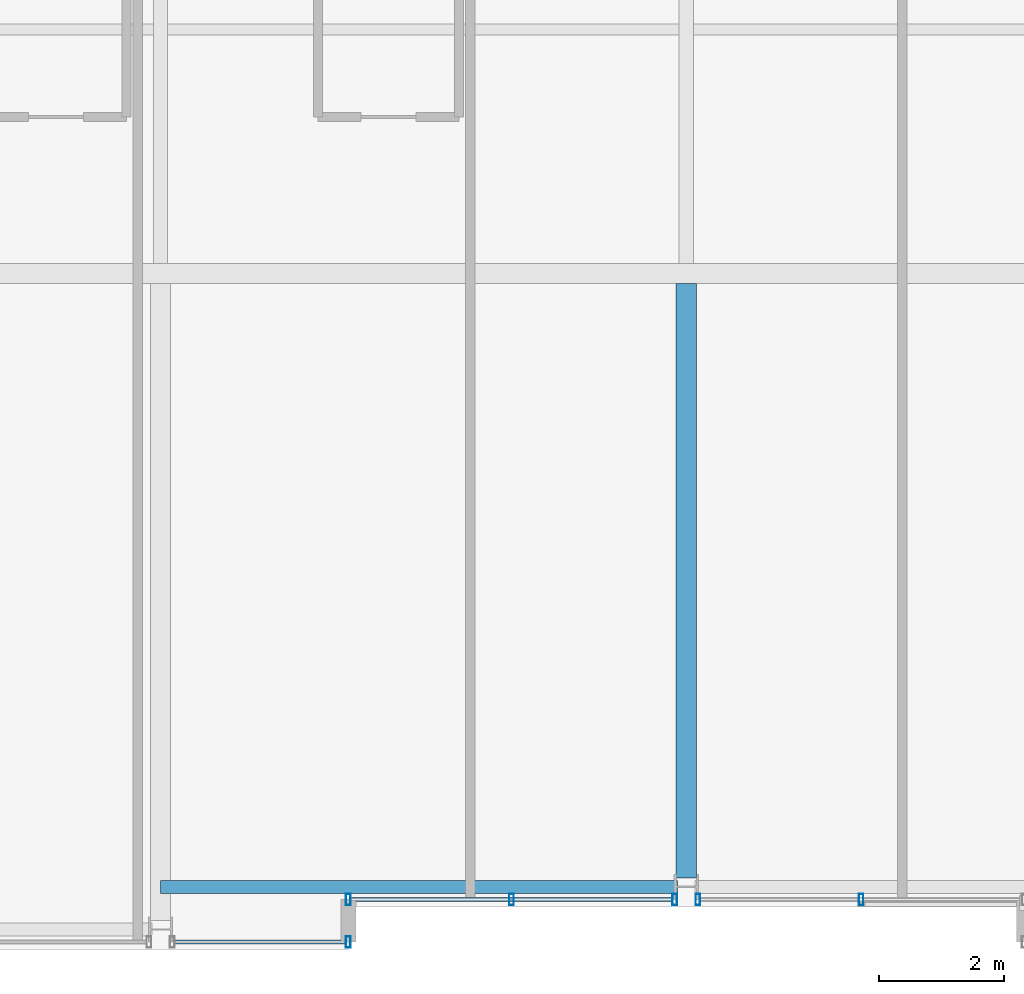
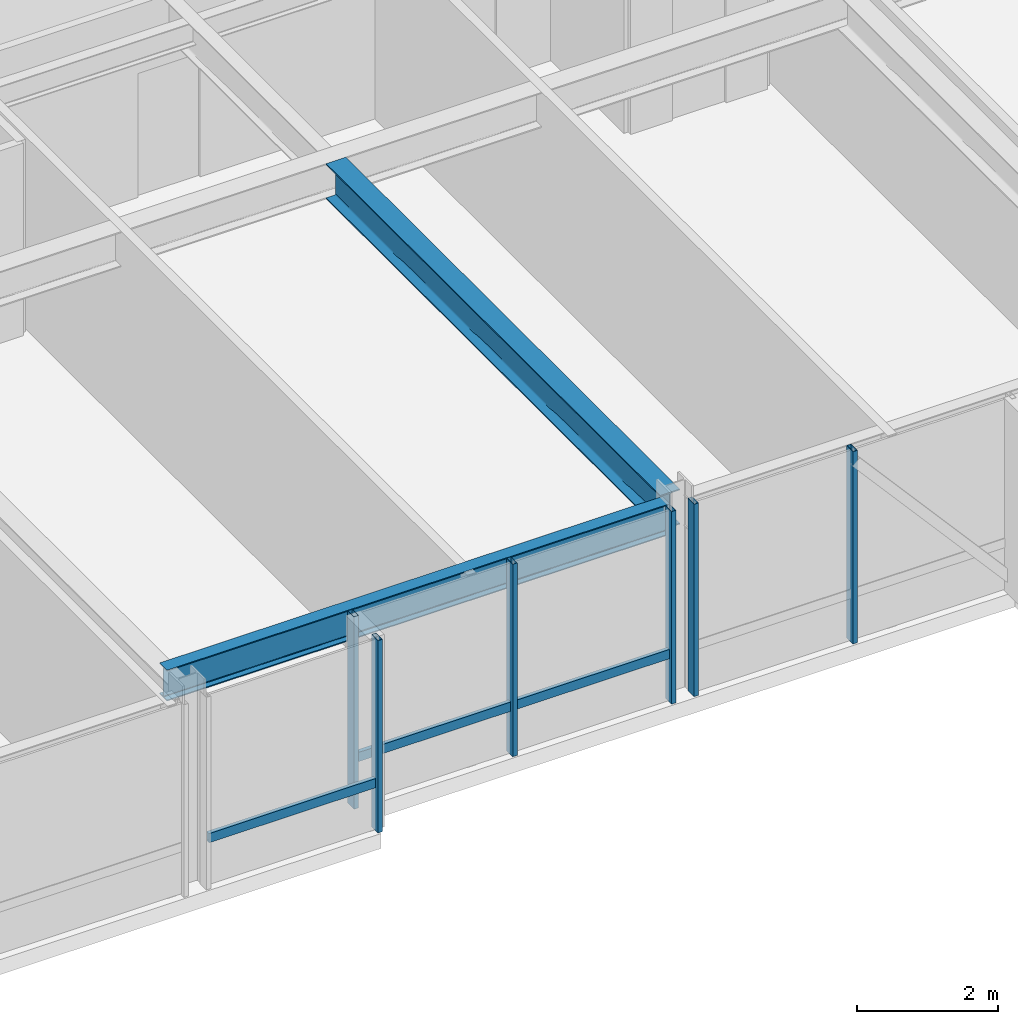
# One storey, part 5 of 32: 8 members, 2 beams, 3 elements without a shape of their own.
"""IFC4 building model written with IfcOpenShell, lengths in metres."""

from ifc_helpers import new_model, si_unit, direction, frame, origin, origin_2d, place, context, subcontext, project, spatial, hollow_rectangle, i_section, extrude, material, layer, layer_set, material_profile, profile_set, type_object, element, aggregate, save


model = new_model("IFC4")

# Units and contexts
model_context = context("Model", 3, precision=1e-05, world=origin(), true_north=direction((0.0, 1.0)))
body_context = subcontext(model_context, "Body", "Model", "MODEL_VIEW")
ifc_project = project(units=[si_unit("LENGTHUNIT", "METRE"), si_unit("AREAUNIT", "SQUARE_METRE"), si_unit("VOLUMEUNIT", "CUBIC_METRE"), si_unit("PLANEANGLEUNIT", "RADIAN"), si_unit("MASSUNIT", "GRAM", prefix="KILO")], contexts=[model_context])

# Site, building, storey
site_placement = place(None, origin())
site = spatial("IfcSite", under=ifc_project, at=site_placement, CompositionType="ELEMENT")
building_placement = place(site_placement, origin())
building = spatial("IfcBuilding", under=site, at=building_placement, Name="Drelvath Grand Hotel", CompositionType="ELEMENT")
storey_placement = place(building_placement, frame((0.0, 0.0, 233.89990234375)))
storey = spatial("IfcBuildingStorey", under=building, at=storey_placement, Name="L61", CompositionType="ELEMENT", Elevation=233.89990234375)

# Curtain wall, member
ifc_material_1 = material(Name="Platinum-Mist Anodised Aluminium Frame", Category="aluminium")
ifc_layer = layer(ifc_material_1, 0.199951171875)
ifc_layer_set = layer_set([ifc_layer], Name="Platinum-Mist Anodised Aluminium Frame")
curtain_wall_type = type_object("IfcCurtainWallType", Name="Stick Curtain Wall CW-05 Platinum Mist High-Rise", PredefinedType="NOTDEFINED", material=ifc_layer_set)
curtain_wall_1_placement = place(storey_placement, origin())
curtain_wall_1 = element("IfcCurtainWall", 1, at=curtain_wall_1_placement, inside=storey, type_object=curtain_wall_type, Name="L61 CW-05 Curtain Wall CW05-L61-SM1", PredefinedType="NOTDEFINED")
ifc_material_profile_1 = material_profile(ifc_material_1, hollow_rectangle(XDim=0.06494140625, YDim=0.159912109375, WallThickness=0.00390625, at=origin_2d()), Name="HSS160X65X4")
ifc_profile_set_1 = profile_set([ifc_material_profile_1], Name="Platinum-Mist Anodised Aluminium Frame")
member_type_1 = type_object("IfcMemberType", Name="Curtain Wall Horizontal Transom CW-05 HSS160X65X4", PredefinedType="USERDEFINED", material=ifc_profile_set_1)
member_1_placement = place(storey_placement, frame((-0.225341796875, 0.800048828125, 0.835205078125), z_axis=(-1.0, 0.0, 0.0), x_axis=(0.0, -1.0, 0.0)))
member_1 = element("IfcMember", 2, at=member_1_placement, type_object=member_type_1, Name="CW05-L61-SM1 Sill Transom", ObjectType="TRANSOM", PredefinedType="USERDEFINED", context=body_context, shape_type="SweptSolid", body=[
    extrude(hollow_rectangle(XDim=0.06494140625, YDim=0.159912109375, WallThickness=0.00390625, at=origin_2d()), origin(), (0.0, 0.0, 1.0), 5.134765625),
])

curtain_wall_2_placement = place(storey_placement, origin())
curtain_wall_2 = element("IfcCurtainWall", 3, at=curtain_wall_2_placement, inside=storey, type_object=curtain_wall_type, Name="L61 CW-05 Curtain Wall CW05-L61-SW3", PredefinedType="NOTDEFINED")
member_2_placement = place(storey_placement, frame((-5.43994140625, 0.1201171875, 0.835205078125), z_axis=(-1.0, 0.0, 0.0), x_axis=(0.0, -1.0, 0.0)))
member_2 = element("IfcMember", 4, at=member_2_placement, type_object=member_type_1, Name="CW05-L61-SW3 Sill Transom", ObjectType="TRANSOM", PredefinedType="USERDEFINED", context=body_context, shape_type="SweptSolid", body=[
    extrude(hollow_rectangle(XDim=0.06494140625, YDim=0.159912109375, WallThickness=0.00390625, at=origin_2d()), origin(), (0.0, 0.0, 1.0), 2.73486328125),
])

# Member
ifc_material_profile_2 = material_profile(ifc_material_1, hollow_rectangle(XDim=0.074951171875, YDim=0.179931640625, WallThickness=0.0048828125, at=origin_2d()), Name="HSS180X75X5")
ifc_profile_set_2 = profile_set([ifc_material_profile_2], Name="Platinum-Mist Anodised Aluminium Frame")
member_type_2 = type_object("IfcMemberType", Name="Curtain Wall Vertical Mullion CW-05 HSS180X75X5", PredefinedType="MULLION", material=ifc_profile_set_2)
member_3_placement = place(storey_placement, frame((-0.185302734375, 0.800048828125, 0.0), z_axis=(0.0, 0.0, 1.0), x_axis=(1.0, 0.0, 0.0)))
member_3 = element("IfcMember", 5, at=member_3_placement, type_object=member_type_2, Name="CW05-L61-SM1 Mullion 1", PredefinedType="MULLION", context=body_context, shape_type="SweptSolid", body=[
    extrude(hollow_rectangle(XDim=0.074951171875, YDim=0.179931640625, WallThickness=0.0048828125, at=origin_2d()), origin(), (0.0, 0.0, 1.0), 3.340087890625),
])

member_4_placement = place(storey_placement, frame((-2.792724609375, 0.800048828125, 0.0), z_axis=(0.0, 0.0, 1.0), x_axis=(1.0, 0.0, 0.0)))
member_4 = element("IfcMember", 6, at=member_4_placement, type_object=member_type_2, Name="CW05-L61-SM1 Mullion 2", PredefinedType="MULLION", context=body_context, shape_type="SweptSolid", body=[
    extrude(hollow_rectangle(XDim=0.074951171875, YDim=0.179931640625, WallThickness=0.0048828125, at=origin_2d()), origin(), (0.0, 0.0, 1.0), 3.340087890625),
])

member_5_placement = place(storey_placement, frame((-5.39990234375, 0.800048828125, 0.0), z_axis=(0.0, 0.0, 1.0), x_axis=(1.0, 0.0, 0.0)))
member_5 = element("IfcMember", 7, at=member_5_placement, type_object=member_type_2, Name="CW05-L61-SM1 Mullion 3", PredefinedType="MULLION", context=body_context, shape_type="SweptSolid", body=[
    extrude(hollow_rectangle(XDim=0.074951171875, YDim=0.179931640625, WallThickness=0.0048828125, at=origin_2d()), origin(), (0.0, 0.0, 1.0), 3.340087890625),
])

aggregate(curtain_wall_1, [member_3, member_4, member_5, member_1])

# Curtain wall, members
curtain_wall_3_placement = place(storey_placement, origin())
curtain_wall_3 = element("IfcCurtainWall", 8, at=curtain_wall_3_placement, inside=storey, type_object=curtain_wall_type, Name="L61 CW-05 Curtain Wall CW05-L61-SM2", PredefinedType="NOTDEFINED")
member_6_placement = place(storey_placement, frame((2.792724609375, 0.800048828125, 0.0), z_axis=(0.0, 0.0, 1.0), x_axis=(1.0, 0.0, 0.0)))
member_6 = element("IfcMember", 9, at=member_6_placement, type_object=member_type_2, Name="CW05-L61-SM2 Mullion 2", PredefinedType="MULLION", context=body_context, shape_type="SweptSolid", body=[
    extrude(hollow_rectangle(XDim=0.074951171875, YDim=0.179931640625, WallThickness=0.0048828125, at=origin_2d()), origin(), (0.0, 0.0, 1.0), 3.340087890625),
])
member_7_placement = place(storey_placement, frame((0.185302734375, 0.800048828125, 0.0), z_axis=(0.0, 0.0, 1.0), x_axis=(1.0, 0.0, 0.0)))
member_7 = element("IfcMember", 10, at=member_7_placement, type_object=member_type_2, Name="CW05-L61-SM2 Mullion 3", PredefinedType="MULLION", context=body_context, shape_type="SweptSolid", body=[
    extrude(hollow_rectangle(XDim=0.074951171875, YDim=0.179931640625, WallThickness=0.0048828125, at=origin_2d()), origin(), (0.0, 0.0, 1.0), 3.340087890625),
])
aggregate(curtain_wall_3, [member_6, member_7])

# Member
member_8_placement = place(storey_placement, frame((-5.39990234375, 0.1201171875, 0.0), z_axis=(0.0, 0.0, 1.0), x_axis=(1.0, 0.0, 0.0)))
member_8 = element("IfcMember", 11, at=member_8_placement, type_object=member_type_2, Name="CW05-L61-SW3 Mullion 1", PredefinedType="MULLION", context=body_context, shape_type="SweptSolid", body=[
    extrude(hollow_rectangle(XDim=0.074951171875, YDim=0.179931640625, WallThickness=0.0048828125, at=origin_2d()), origin(), (0.0, 0.0, 1.0), 3.340087890625),
])

aggregate(curtain_wall_2, [member_8, member_2])

# Beams
ifc_material_2 = material(Name="Steel ASTM A992 Gr 50", Category="steel")
ifc_material_profile_3 = material_profile(ifc_material_2, i_section(OverallWidth=0.210205078125, OverallDepth=0.53662109375, WebThickness=0.010986328125, FlangeThickness=0.017333984375, FilletRadius=0.01806640625, at=origin_2d()), Name="W21X68")
ifc_profile_set_3 = profile_set([ifc_material_profile_3], Name="Steel ASTM A992 Gr 50")
beam_type_1 = type_object("IfcBeamType", Name="Perimeter Spandrel Beam W21X68", PredefinedType="SPANDREL", material=ifc_profile_set_3)
beam_1_placement = place(storey_placement, frame((-8.39990234375, 1.0, 3.07177734375), z_axis=(1.0, 0.0, 0.0), x_axis=(0.0, 1.0, 0.0)))
element("IfcBeam", 12, at=beam_1_placement, inside=storey, type_object=beam_type_1, Name="L61 Spandrel South Mid W", PredefinedType="SPANDREL", context=body_context, shape_type="SweptSolid", body=[
    extrude(i_section(OverallWidth=0.210205078125, OverallDepth=0.53662109375, WebThickness=0.010986328125, FlangeThickness=0.017333984375, FilletRadius=0.01806640625, at=origin_2d()), origin(), (0.0, 0.0, 1.0), 8.260009765625),
])
ifc_material_profile_4 = material_profile(ifc_material_2, i_section(OverallWidth=0.323974609375, OverallDepth=0.611083984375, WebThickness=0.0126953125, FlangeThickness=0.01904296875, FilletRadius=0.02197265625, at=origin_2d()), Name="W24X104")
ifc_profile_set_4 = profile_set([ifc_material_profile_4], Name="Steel ASTM A992 Gr 50")
beam_type_2 = type_object("IfcBeamType", Name="Primary Floor Girder W24X104", PredefinedType="BEAM", material=ifc_profile_set_4)
beam_2_placement = place(storey_placement, frame((0.0, 1.139892578125, 3.034423828125), z_axis=(0.0, 1.0, 0.0), x_axis=(-1.0, 0.0, 0.0)))
element("IfcBeam", 13, at=beam_2_placement, inside=storey, type_object=beam_type_2, Name="L61 South Wing Girder 5", PredefinedType="BEAM", context=body_context, shape_type="SweptSolid", body=[
    extrude(i_section(OverallWidth=0.323974609375, OverallDepth=0.611083984375, WebThickness=0.0126953125, FlangeThickness=0.01904296875, FilletRadius=0.02197265625, at=origin_2d()), origin(), (0.0, 0.0, 1.0), 9.498046875),
])

save(model, "model.ifc")
